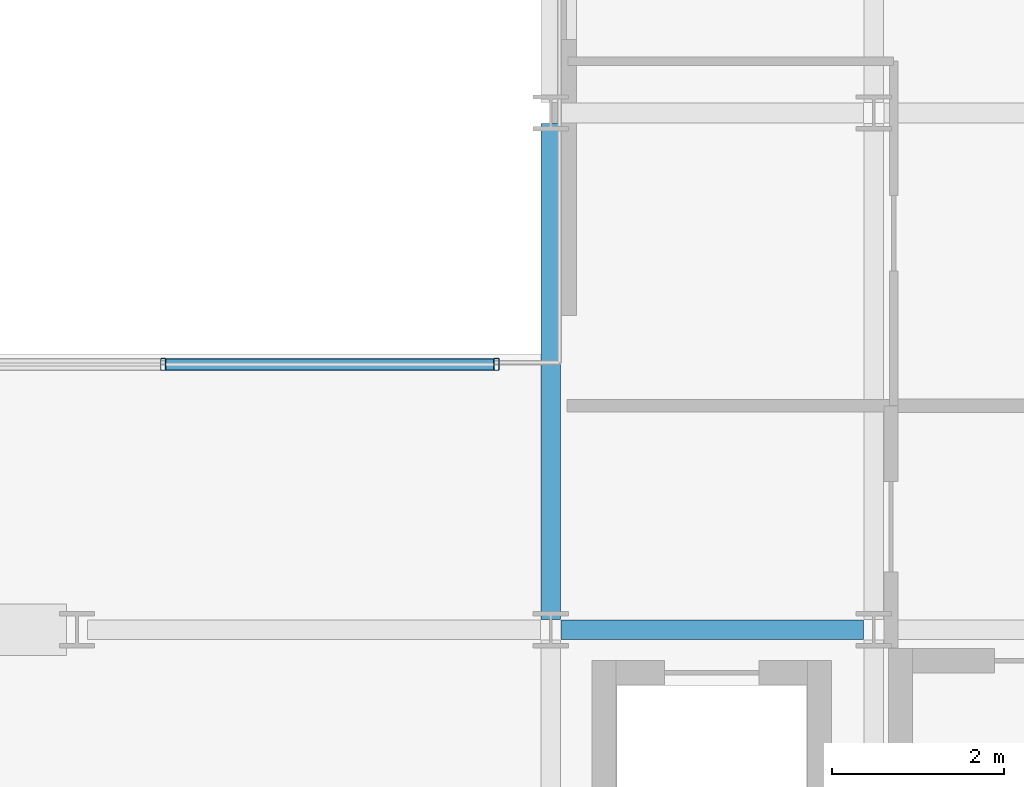
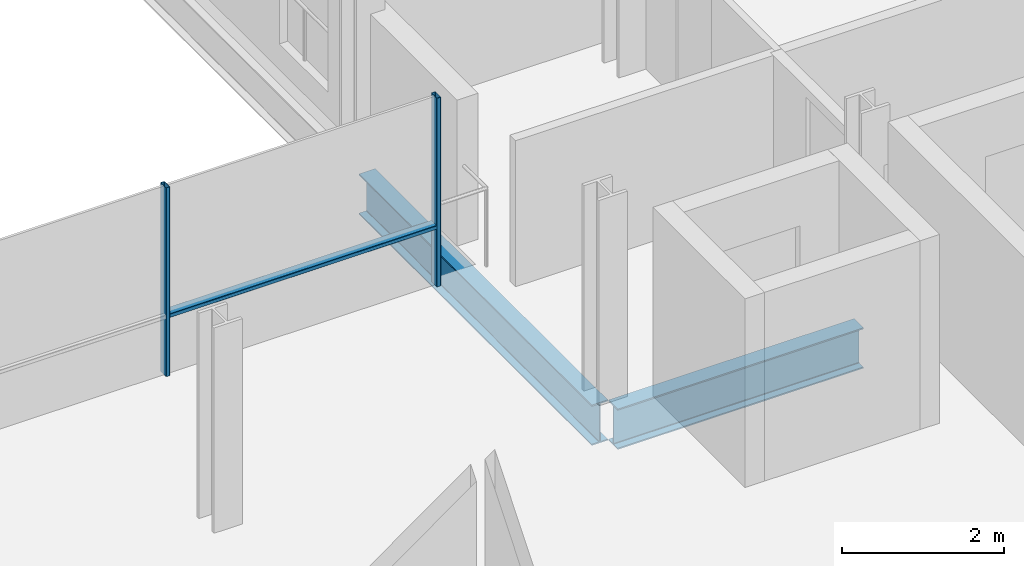
# One storey, part 13 of 40: 3 members, 2 beams, 1 element without a shape of its own.
"""IFC4 building model written with IfcOpenShell, lengths in metres."""

from ifc_helpers import new_model, si_unit, direction, frame, origin, origin_2d, place, context, subcontext, project, spatial, hollow_rectangle, i_section, extrude, material, layer, layer_set, material_profile, profile_set, type_object, element, aggregate, save


model = new_model("IFC4")

# Units and contexts
model_context = context("Model", 3, precision=1e-05, world=origin(), true_north=direction((0.0, 1.0)))
body_context = subcontext(model_context, "Body", "Model", "MODEL_VIEW")
ifc_project = project(units=[si_unit("LENGTHUNIT", "METRE"), si_unit("AREAUNIT", "SQUARE_METRE"), si_unit("VOLUMEUNIT", "CUBIC_METRE"), si_unit("PLANEANGLEUNIT", "RADIAN"), si_unit("MASSUNIT", "GRAM", prefix="KILO")], contexts=[model_context])

# Site, building, storey
site_placement = place(None, origin())
site = spatial("IfcSite", under=ifc_project, at=site_placement, CompositionType="ELEMENT")
building_placement = place(site_placement, origin())
building = spatial("IfcBuilding", under=site, at=building_placement, Name="Brevholm Reach", CompositionType="ELEMENT")
storey_placement = place(building_placement, frame((0.0, 0.0, 131.39990234375)))
storey = spatial("IfcBuildingStorey", under=building, at=storey_placement, Name="L39", CompositionType="ELEMENT", Elevation=131.39990234375)

# Beams
ifc_material_1 = material(Name="Structural Steel S355J2", Category="steel")
ifc_material_profile_1 = material_profile(ifc_material_1, i_section(OverallWidth=0.22900390625, OverallDepth=0.6123046875, WebThickness=0.011962890625, FlangeThickness=0.01953125, FilletRadius=0.0126953125, at=origin_2d()), Name="UKB 610x229x125")
ifc_profile_set_1 = profile_set([ifc_material_profile_1], Name="Structural Steel S355J2")
beam_type = type_object("IfcBeamType", Name="BM-SP610", PredefinedType="SPANDREL", material=ifc_profile_set_1)
beam_1_placement = place(storey_placement, frame((38.3701171875, 10.0, -0.526123046875), z_axis=(1.0, 0.0, 0.0), x_axis=(0.0, 1.0, 0.0)))
element("IfcBeam", 1, at=beam_1_placement, inside=storey, type_object=beam_type, Name="L39 SP-01 Framing Beam", PredefinedType="SPANDREL", context=body_context, shape_type="SweptSolid", body=[
    extrude(i_section(OverallWidth=0.22900390625, OverallDepth=0.6123046875, WebThickness=0.011962890625, FlangeThickness=0.01953125, FilletRadius=0.0126953125, at=origin_2d()), origin(), (0.0, 0.0, 1.0), 3.509765625),
])
beam_2_placement = place(storey_placement, frame((38.25, 10.1201171875, -0.526123046875), z_axis=(0.0, 1.0, 0.0), x_axis=(-1.0, 0.0, 0.0)))
element("IfcBeam", 2, at=beam_2_placement, inside=storey, type_object=beam_type, Name="L39 SP-01 Framing Beam", PredefinedType="SPANDREL", context=body_context, shape_type="SweptSolid", body=[
    extrude(i_section(OverallWidth=0.22900390625, OverallDepth=0.6123046875, WebThickness=0.011962890625, FlangeThickness=0.01953125, FilletRadius=0.0126953125, at=origin_2d()), origin(), (0.0, 0.0, 1.0), 5.759765625),
])

# Curtain wall, members
ifc_material_2 = material(Name="Dark Anodised Aluminium 6063-T6 and Solar-Control Glass", Category="aluminium")
ifc_layer = layer(ifc_material_2, 0.139892578125)
ifc_layer_set = layer_set([ifc_layer], Name="Dark Anodised Aluminium 6063-T6 and Solar-Control Glass")
curtain_wall_type = type_object("IfcCurtainWallType", Name="CW-02", PredefinedType="NOTDEFINED", material=ifc_layer_set)
curtain_wall_placement = place(storey_placement, origin())
curtain_wall = element("IfcCurtainWall", 3, at=curtain_wall_placement, inside=storey, type_object=curtain_wall_type, Name="L39 Curtain Wall CW-02", PredefinedType="NOTDEFINED")
ifc_material_3 = material(Name="Dark Anodised Aluminium 6063-T6", Category="aluminium")
ifc_material_profile_2 = material_profile(ifc_material_3, hollow_rectangle(XDim=0.06005859375, YDim=0.139892578125, WallThickness=0.0048828125, InnerFilletRadius=0.0048828125, OuterFilletRadius=0.010009765625, at=origin_2d()), Name="RHS 140x60x5")
ifc_profile_set_2 = profile_set([ifc_material_profile_2], Name="Dark Anodised Aluminium 6063-T6")
member_type_1 = type_object("IfcMemberType", Name="CWM-140", PredefinedType="MULLION", material=ifc_profile_set_2)
member_1_placement = place(storey_placement, frame((33.75, 13.080078125, 0.0), z_axis=(0.0, 0.0, 1.0), x_axis=(1.0, 0.0, 0.0)))
member_1 = element("IfcMember", 4, at=member_1_placement, type_object=member_type_1, Name="CM-140 Mullion 4", PredefinedType="MULLION", context=body_context, shape_type="SweptSolid", body=[
    extrude(hollow_rectangle(XDim=0.06005859375, YDim=0.139892578125, WallThickness=0.0048828125, InnerFilletRadius=0.0048828125, OuterFilletRadius=0.010009765625, at=origin_2d()), origin(), (0.0, 0.0, 1.0), 2.85009765625),
])
member_2_placement = place(storey_placement, frame((37.6201171875, 13.080078125, 0.0), z_axis=(0.0, 0.0, 1.0), x_axis=(1.0, 0.0, 0.0)))
member_2 = element("IfcMember", 5, at=member_2_placement, type_object=member_type_1, Name="CM-140 Mullion 5", PredefinedType="MULLION", context=body_context, shape_type="SweptSolid", body=[
    extrude(hollow_rectangle(XDim=0.06005859375, YDim=0.139892578125, WallThickness=0.0048828125, InnerFilletRadius=0.0048828125, OuterFilletRadius=0.010009765625, at=origin_2d()), origin(), (0.0, 0.0, 1.0), 2.85009765625),
])
ifc_material_4 = material(Name="Dark Anodised Aluminium 6063-T6", Category="aluminium")
ifc_material_profile_3 = material_profile(ifc_material_4, hollow_rectangle(XDim=0.06005859375, YDim=0.139892578125, WallThickness=0.0048828125, InnerFilletRadius=0.0048828125, OuterFilletRadius=0.010009765625, at=origin_2d()), Name="RHS 140x60x5")
ifc_profile_set_3 = profile_set([ifc_material_profile_3], Name="Dark Anodised Aluminium 6063-T6")
member_type_2 = type_object("IfcMemberType", Name="CWT-140", PredefinedType="NOTDEFINED", material=ifc_profile_set_3)
member_3_placement = place(storey_placement, frame((33.780029296875, 13.080078125, 0.900146484375), z_axis=(1.0, 0.0, 0.0), x_axis=(0.0, 0.0, 1.0)))
member_3 = element("IfcMember", 6, at=member_3_placement, type_object=member_type_2, Name="CT-140 Transom 4.1", ObjectType="TRANSOM", PredefinedType="USERDEFINED", context=body_context, shape_type="SweptSolid", body=[
    extrude(hollow_rectangle(XDim=0.06005859375, YDim=0.139892578125, WallThickness=0.0048828125, InnerFilletRadius=0.0048828125, OuterFilletRadius=0.010009765625, at=origin_2d()), origin(), (0.0, 0.0, 1.0), 3.81005859375),
])
aggregate(curtain_wall, [member_1, member_2, member_3])

save(model, "model.ifc")
